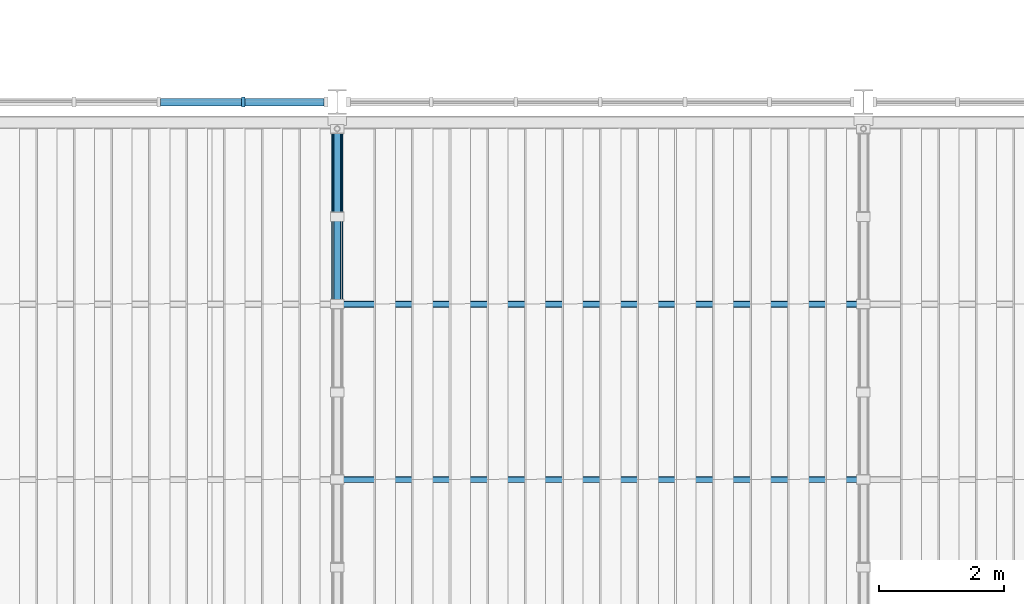
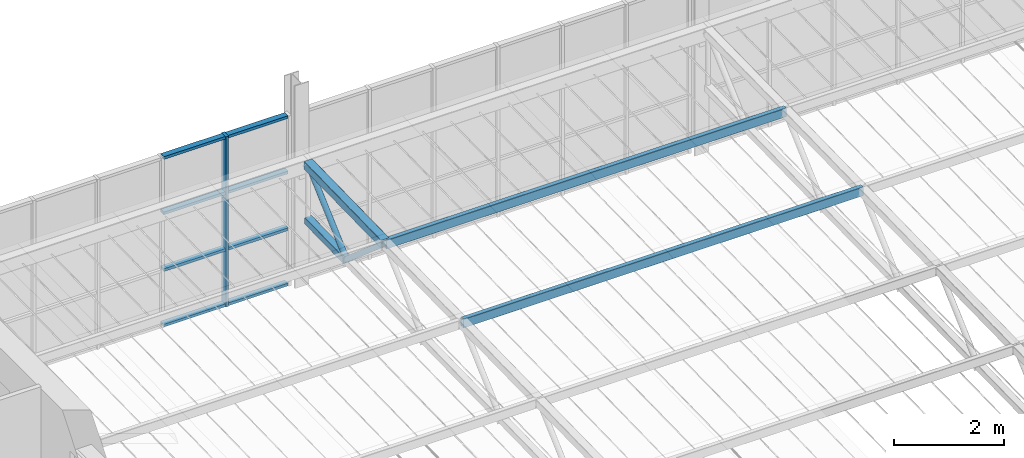
# One storey, part 19 of 129: 15 members, 1 element without a shape of its own.
"""IFC4 building model written with IfcOpenShell, lengths in metres."""

from ifc_helpers import new_model, si_unit, direction, frame, origin, origin_2d, place, context, subcontext, project, spatial, rectangle, hollow_rectangle, hollow_circle, extrude, material, layer, layer_set, material_profile, profile_set, type_object, element, aggregate, save


model = new_model("IFC4")

# Units and contexts
model_context = context("Model", 3, precision=1e-05, world=origin(), true_north=direction((0.0, 1.0)))
body_context = subcontext(model_context, "Body", "Model", "MODEL_VIEW")
ifc_project = project(units=[si_unit("LENGTHUNIT", "METRE"), si_unit("AREAUNIT", "SQUARE_METRE"), si_unit("VOLUMEUNIT", "CUBIC_METRE"), si_unit("PLANEANGLEUNIT", "RADIAN"), si_unit("MASSUNIT", "GRAM", prefix="KILO")], contexts=[model_context])

# Site, building, storey
site_placement = place(None, origin())
site = spatial("IfcSite", under=ifc_project, at=site_placement, CompositionType="ELEMENT")
building_placement = place(site_placement, origin())
building = spatial("IfcBuilding", under=site, at=building_placement, Name="Ardhachandra Cancer Care Centre", CompositionType="ELEMENT")
storey_placement = place(building_placement, frame((0.0, 0.0, 4.5)))
storey = spatial("IfcBuildingStorey", under=building, at=storey_placement, Name="L01", CompositionType="ELEMENT", Elevation=4.5)

# Members
ifc_material_1 = material(Name="Steel E350 (IS 2062)", Category="steel")
ifc_material_profile_1 = material_profile(ifc_material_1, hollow_rectangle(XDim=0.10009765625, YDim=0.199951171875, WallThickness=0.006103515625, InnerFilletRadius=0.006103515625, OuterFilletRadius=0.011962890625, at=origin_2d()), Name="RHS 200x100x6.0")
ifc_profile_set_1 = profile_set([ifc_material_profile_1], Name="Steel E350 (IS 2062)")
member_type_1 = type_object("IfcMemberType", Name="Canopy purlin RHS 200x100x6.0", PredefinedType="PURLIN", material=ifc_profile_set_1)
for number, where, z_axis, x_axis, name in (
    (1, (52.800048828125, 51.375, 2.78759765625), (1.0, 0.0, 0.0), (0.0, 1.0, 0.0), "Canopy purlin 1-2"),
    (2, (52.800048828125, 48.574951171875, 2.7314453125), (1.0, 0.0, 0.0), (0.0, 1.0, 0.0), "Canopy purlin 2-2"),
):
    element("IfcMember", number, at=place(storey_placement, frame(where, z_axis=z_axis, x_axis=x_axis)), inside=storey, type_object=member_type_1, Name=name, PredefinedType="PURLIN", context=body_context, shape_type="SweptSolid", body=[
        extrude(hollow_rectangle(XDim=0.10009765625, YDim=0.199951171875, WallThickness=0.006103515625, InnerFilletRadius=0.006103515625, OuterFilletRadius=0.011962890625, at=origin_2d()), origin(), (0.0, 0.0, 1.0), 8.39990234375),
    ])
ifc_material_2 = material(Name="Steel E350 (IS 2062)", Category="steel")
ifc_material_profile_2 = material_profile(ifc_material_2, hollow_rectangle(XDim=0.14990234375, YDim=0.14990234375, WallThickness=0.006103515625, InnerFilletRadius=0.006103515625, OuterFilletRadius=0.011962890625, at=origin_2d()), Name="SHS 150x150x6.0")
ifc_profile_set_2 = profile_set([ifc_material_profile_2], Name="Steel E350 (IS 2062)")
member_type_2 = type_object("IfcMemberType", Name="Canopy truss bottom chord SHS 150x150x6.0", PredefinedType="CHORD", material=ifc_profile_set_2)
member_1_placement = place(storey_placement, frame((52.800048828125, 54.175048828125, 1.618408203125), z_axis=(0.0, -0.999802492231, -0.019874016411), x_axis=(1.0, 0.0, 0.0)))
element("IfcMember", 3, at=member_1_placement, inside=storey, type_object=member_type_2, Name="Canopy truss 2 bottom chord BC10", PredefinedType="CHORD", context=body_context, shape_type="SweptSolid", body=[
    extrude(hollow_rectangle(XDim=0.14990234375, YDim=0.14990234375, WallThickness=0.006103515625, InnerFilletRadius=0.006103515625, OuterFilletRadius=0.011962890625, at=origin_2d()), origin(), (0.0, 0.0, 1.0), 1.400390625),
])
ifc_material_3 = material(Name="Steel E350 (IS 2062)", Category="steel")
ifc_material_profile_3 = material_profile(ifc_material_3, hollow_circle(Radius=0.05712890625, WallThickness=0.0048828125, at=origin_2d()), Name="CHS 114.3x5.0")
ifc_profile_set_3 = profile_set([ifc_material_profile_3], Name="Steel E350 (IS 2062)")
member_type_3 = type_object("IfcMemberType", Name="Canopy truss diagonal CHS 114.3x5.0", PredefinedType="BRACE", material=ifc_profile_set_3)
member_2_placement = place(storey_placement, frame((52.800048828125, 54.175048828125, 2.853515625), z_axis=(0.0, -0.742553308775, -0.669786968839), x_axis=(1.0, 0.0, 0.0)))
element("IfcMember", 4, at=member_2_placement, inside=storey, type_object=member_type_3, Name="Canopy truss 2 web diagonal WD19", PredefinedType="BRACE", context=body_context, shape_type="SweptSolid", body=[
    extrude(hollow_circle(Radius=0.05712890625, WallThickness=0.0048828125, at=origin_2d()), origin(), (0.0, 0.0, 1.0), 1.885498046875),
])
member_3_placement = place(storey_placement, frame((52.800048828125, 52.77490234375, 1.590576171875), z_axis=(0.0, -0.757351396119, 0.653007551868), x_axis=(1.0, 0.0, 0.0)))
element("IfcMember", 5, at=member_3_placement, inside=storey, type_object=member_type_3, Name="Canopy truss 2 web diagonal WD20", PredefinedType="BRACE", context=body_context, shape_type="SweptSolid", body=[
    extrude(hollow_circle(Radius=0.05712890625, WallThickness=0.0048828125, at=origin_2d()), origin(), (0.0, 0.0, 1.0), 1.848388671875),
])
ifc_material_4 = material(Name="Steel E350 (IS 2062)", Category="steel")
ifc_material_profile_4 = material_profile(ifc_material_4, hollow_rectangle(XDim=0.179931640625, YDim=0.179931640625, WallThickness=0.008056640625, InnerFilletRadius=0.008056640625, OuterFilletRadius=0.01611328125, at=origin_2d()), Name="SHS 180x180x8.0")
ifc_profile_set_4 = profile_set([ifc_material_profile_4], Name="Steel E350 (IS 2062)")
member_type_4 = type_object("IfcMemberType", Name="Canopy truss top chord SHS 180x180x8.0", PredefinedType="CHORD", material=ifc_profile_set_4)
member_4_placement = place(storey_placement, frame((52.800048828125, 54.175048828125, 2.853515625), z_axis=(0.0, -0.999800721691, -0.019962888244), x_axis=(1.0, 0.0, 0.0)))
element("IfcMember", 6, at=member_4_placement, inside=storey, type_object=member_type_4, Name="Canopy truss 2 top chord TC1", PredefinedType="CHORD", context=body_context, shape_type="SweptSolid", body=[
    extrude(hollow_rectangle(XDim=0.179931640625, YDim=0.179931640625, WallThickness=0.008056640625, InnerFilletRadius=0.008056640625, OuterFilletRadius=0.01611328125, at=origin_2d()), origin(), (0.0, 0.0, 1.0), 2.800537109375),
])

# Curtain wall, members
ifc_material_5 = material(Name="Aluminium extrusion", Category="aluminium")
ifc_layer = layer(ifc_material_5, 0.14990234375)
ifc_layer_set = layer_set([ifc_layer], Name="Aluminium extrusion")
curtain_wall_type = type_object("IfcCurtainWallType", Name="Curtain wall run", PredefinedType="NOTDEFINED", material=ifc_layer_set)
curtain_wall_placement = place(storey_placement, origin())
curtain_wall = element("IfcCurtainWall", 7, at=curtain_wall_placement, inside=storey, type_object=curtain_wall_type, Name="Curtain wall L01 s/0044400_0054600", PredefinedType="NOTDEFINED")
ifc_material_6 = material(Name="Aluminium extrusion", Category="aluminium")
ifc_material_profile_5 = material_profile(ifc_material_6, rectangle(XDim=0.159912109375, YDim=0.06005859375, at=origin_2d()), Name="Curtain wall mullion 60 x 160")
ifc_profile_set_5 = profile_set([ifc_material_profile_5], Name="Aluminium extrusion")
member_type_5 = type_object("IfcMemberType", Name="Curtain wall mullion 60 x 160", PredefinedType="MULLION", material=ifc_profile_set_5)
member_5_placement = place(storey_placement, frame((51.300048828125, 54.60009765625, 0.0), z_axis=(0.0, 0.0, 1.0), x_axis=(0.0, 1.0, 0.0)))
member_5 = element("IfcMember", 8, at=member_5_placement, type_object=member_type_5, Name="CW mullion 6", PredefinedType="MULLION", context=body_context, shape_type="SweptSolid", body=[
    extrude(rectangle(XDim=0.159912109375, YDim=0.06005859375, at=origin_2d()), origin(), (0.0, 0.0, 1.0), 3.780517578125),
])
ifc_material_7 = material(Name="Aluminium extrusion", Category="aluminium")
ifc_material_profile_6 = material_profile(ifc_material_7, rectangle(XDim=0.1201171875, YDim=0.06005859375, at=origin_2d()), Name="Curtain wall transom 60 x 120")
ifc_profile_set_6 = profile_set([ifc_material_profile_6], Name="Aluminium extrusion")
member_type_6 = type_object("IfcMemberType", Name="Curtain wall transom 60 x 120", PredefinedType="USERDEFINED", material=ifc_profile_set_6)
member_6_placement = place(storey_placement, frame((49.97998046875, 54.60009765625, 0.030029296875), z_axis=(1.0, 0.0, 0.0), x_axis=(0.0, 1.0, 0.0)))
member_6 = element("IfcMember", 9, at=member_6_placement, type_object=member_type_6, Name="CW transom 5.1", ObjectType="TRANSOM", PredefinedType="USERDEFINED", context=body_context, shape_type="SweptSolid", body=[
    extrude(rectangle(XDim=0.1201171875, YDim=0.06005859375, at=origin_2d()), origin(), (0.0, 0.0, 1.0), 1.2900390625),
])
member_7_placement = place(storey_placement, frame((49.97998046875, 54.60009765625, 1.26025390625), z_axis=(1.0, 0.0, 0.0), x_axis=(0.0, 1.0, 0.0)))
member_7 = element("IfcMember", 10, at=member_7_placement, type_object=member_type_6, Name="CW transom 5.2", ObjectType="TRANSOM", PredefinedType="USERDEFINED", context=body_context, shape_type="SweptSolid", body=[
    extrude(rectangle(XDim=0.1201171875, YDim=0.06005859375, at=origin_2d()), origin(), (0.0, 0.0, 1.0), 1.2900390625),
])
member_8_placement = place(storey_placement, frame((49.97998046875, 54.60009765625, 2.520263671875), z_axis=(1.0, 0.0, 0.0), x_axis=(0.0, 1.0, 0.0)))
member_8 = element("IfcMember", 11, at=member_8_placement, type_object=member_type_6, Name="CW transom 5.3", ObjectType="TRANSOM", PredefinedType="USERDEFINED", context=body_context, shape_type="SweptSolid", body=[
    extrude(rectangle(XDim=0.1201171875, YDim=0.06005859375, at=origin_2d()), origin(), (0.0, 0.0, 1.0), 1.2900390625),
])
member_9_placement = place(storey_placement, frame((49.97998046875, 54.60009765625, 3.75048828125), z_axis=(1.0, 0.0, 0.0), x_axis=(0.0, 1.0, 0.0)))
member_9 = element("IfcMember", 12, at=member_9_placement, type_object=member_type_6, Name="CW transom 5.4", ObjectType="TRANSOM", PredefinedType="USERDEFINED", context=body_context, shape_type="SweptSolid", body=[
    extrude(rectangle(XDim=0.1201171875, YDim=0.06005859375, at=origin_2d()), origin(), (0.0, 0.0, 1.0), 1.2900390625),
])
member_10_placement = place(storey_placement, frame((51.330078125, 54.60009765625, 0.030029296875), z_axis=(1.0, 0.0, 0.0), x_axis=(0.0, 1.0, 0.0)))
member_10 = element("IfcMember", 13, at=member_10_placement, type_object=member_type_6, Name="CW transom 6.1", ObjectType="TRANSOM", PredefinedType="USERDEFINED", context=body_context, shape_type="SweptSolid", body=[
    extrude(rectangle(XDim=0.1201171875, YDim=0.06005859375, at=origin_2d()), origin(), (0.0, 0.0, 1.0), 1.260009765625),
])
member_11_placement = place(storey_placement, frame((51.330078125, 54.60009765625, 1.26025390625), z_axis=(1.0, 0.0, 0.0), x_axis=(0.0, 1.0, 0.0)))
member_11 = element("IfcMember", 14, at=member_11_placement, type_object=member_type_6, Name="CW transom 6.2", ObjectType="TRANSOM", PredefinedType="USERDEFINED", context=body_context, shape_type="SweptSolid", body=[
    extrude(rectangle(XDim=0.1201171875, YDim=0.06005859375, at=origin_2d()), origin(), (0.0, 0.0, 1.0), 1.260009765625),
])
member_12_placement = place(storey_placement, frame((51.330078125, 54.60009765625, 2.520263671875), z_axis=(1.0, 0.0, 0.0), x_axis=(0.0, 1.0, 0.0)))
member_12 = element("IfcMember", 15, at=member_12_placement, type_object=member_type_6, Name="CW transom 6.3", ObjectType="TRANSOM", PredefinedType="USERDEFINED", context=body_context, shape_type="SweptSolid", body=[
    extrude(rectangle(XDim=0.1201171875, YDim=0.06005859375, at=origin_2d()), origin(), (0.0, 0.0, 1.0), 1.260009765625),
])
member_13_placement = place(storey_placement, frame((51.330078125, 54.60009765625, 3.75048828125), z_axis=(1.0, 0.0, 0.0), x_axis=(0.0, 1.0, 0.0)))
member_13 = element("IfcMember", 16, at=member_13_placement, type_object=member_type_6, Name="CW transom 6.4", ObjectType="TRANSOM", PredefinedType="USERDEFINED", context=body_context, shape_type="SweptSolid", body=[
    extrude(rectangle(XDim=0.1201171875, YDim=0.06005859375, at=origin_2d()), origin(), (0.0, 0.0, 1.0), 1.260009765625),
])
aggregate(curtain_wall, [member_5, member_6, member_7, member_8, member_9, member_10, member_11, member_12, member_13])

save(model, "model.ifc")
